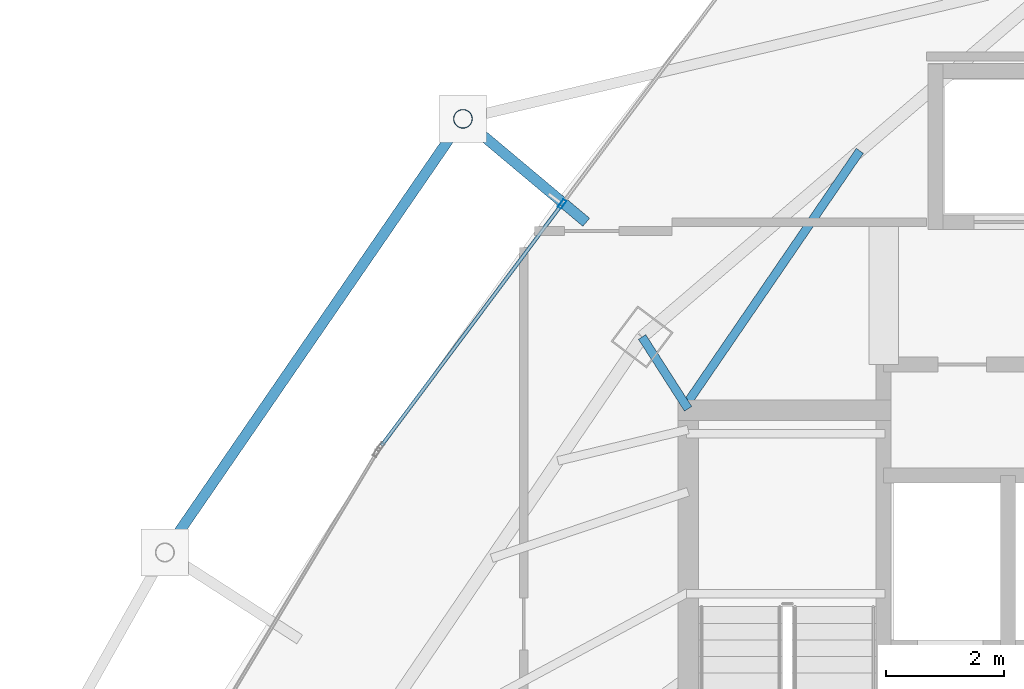
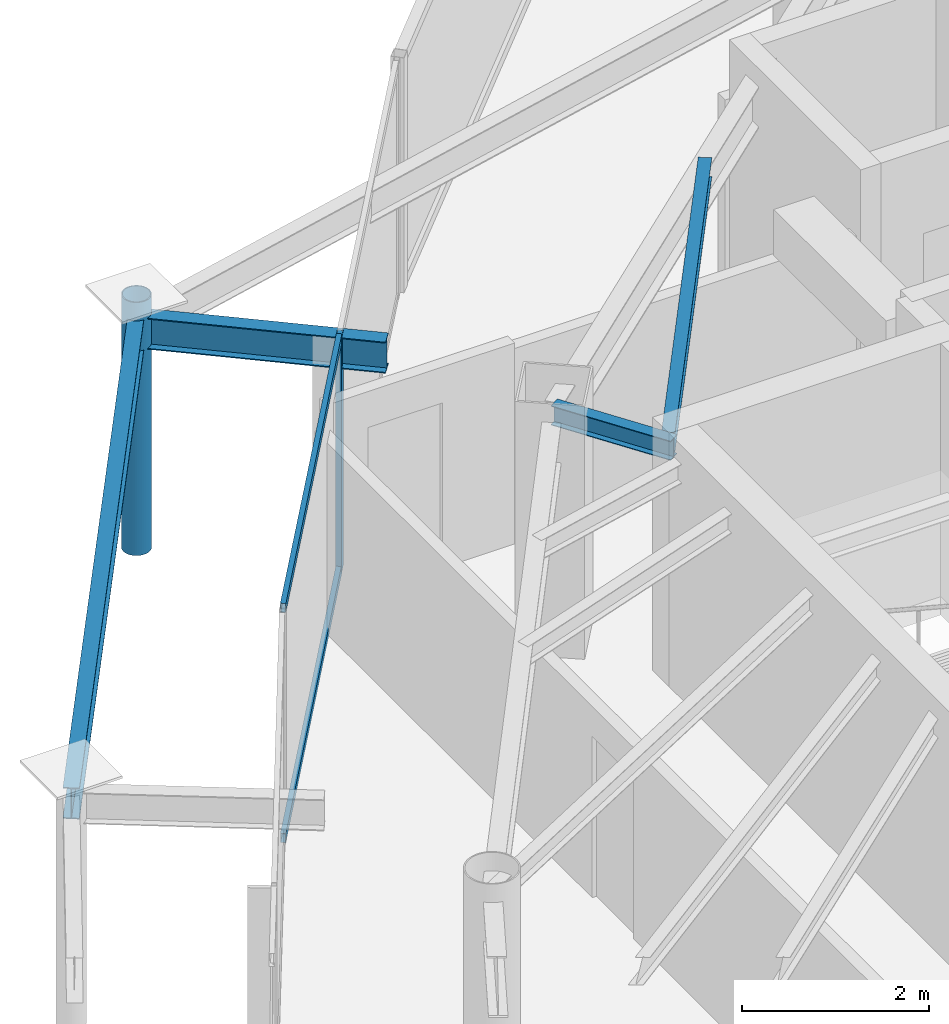
# One storey, part 23 of 34: 4 beams, 4 members, 1 element without a shape of its own.
"""IFC4 building model written with IfcOpenShell, lengths in metres."""

from ifc_helpers import new_model, si_unit, direction, frame, origin, origin_2d, place, context, subcontext, project, spatial, hollow_rectangle, hollow_circle, i_section, extrude, material, layer, layer_set, material_profile, profile_set, type_object, element, aggregate, save


model = new_model("IFC4")

# Units and contexts
model_context = context("Model", 3, precision=1e-05, world=origin(), true_north=direction((0.0, 1.0)))
body_context = subcontext(model_context, "Body", "Model", "MODEL_VIEW")
ifc_project = project(units=[si_unit("LENGTHUNIT", "METRE"), si_unit("AREAUNIT", "SQUARE_METRE"), si_unit("VOLUMEUNIT", "CUBIC_METRE"), si_unit("PLANEANGLEUNIT", "RADIAN"), si_unit("MASSUNIT", "GRAM", prefix="KILO")], contexts=[model_context])

# Site, building, storey
site_placement = place(None, origin())
site = spatial("IfcSite", under=ifc_project, at=site_placement, CompositionType="ELEMENT")
building_placement = place(site_placement, origin())
building = spatial("IfcBuilding", under=site, at=building_placement, Name="Orvanel Arch Residences", CompositionType="ELEMENT")
storey_placement = place(building_placement, frame((0.0, 0.0, 203.0)))
storey = spatial("IfcBuildingStorey", under=building, at=storey_placement, Name="L57", CompositionType="ELEMENT", Elevation=203.0)

# Beams
ifc_material_1 = material(Name="Structural steel AS/NZS 3679.1 Grade 300 (300 MPa)", Category="steel")
ifc_material_profile_1 = material_profile(ifc_material_1, i_section(OverallWidth=0.14599609375, OverallDepth=0.251953125, WebThickness=0.006103515625, FlangeThickness=0.008544921875, at=origin_2d()), Name="250UB31.4")
ifc_profile_set_1 = profile_set([ifc_material_profile_1], Name="Structural steel AS/NZS 3679.1 Grade 300 (300 MPa)")
beam_type_1 = type_object("IfcBeamType", Name="BJ-250UB", PredefinedType="JOIST", material=ifc_profile_set_1)
beam_1_placement = place(storey_placement, frame((26.425048828125, 33.89990234375, 2.93408203125), z_axis=(-0.539395075146, 0.842052820735, 0.0), x_axis=(-0.842052820735, -0.539395075146, 0.0)))
element("IfcBeam", 1, at=beam_1_placement, inside=storey, type_object=beam_type_1, Name="L57 NNW Wing Floor Joist", PredefinedType="JOIST", context=body_context, shape_type="SweptSolid", body=[
    extrude(i_section(OverallWidth=0.14599609375, OverallDepth=0.251953125, WebThickness=0.006103515625, FlangeThickness=0.008544921875, at=origin_2d()), origin(), (0.0, 0.0, 1.0), 1.440673828125),
])
beam_2_placement = place(storey_placement, frame((26.425048828125, 34.02001953125, 2.93408203125), z_axis=(0.564868085352, 0.825181220188, 0.0), x_axis=(-0.825181220188, 0.564868085352, 0.0)))
element("IfcBeam", 2, at=beam_2_placement, inside=storey, type_object=beam_type_1, Name="L57 NNW2 Wing Floor Joist", PredefinedType="JOIST", context=body_context, shape_type="SweptSolid", body=[
    extrude(i_section(OverallWidth=0.14599609375, OverallDepth=0.251953125, WebThickness=0.006103515625, FlangeThickness=0.008544921875, at=origin_2d()), origin(), (0.0, 0.0, 1.0), 5.132080078125),
])

# Curtain wall, member
ifc_material_2 = material(Name="Bronze-anodised aluminium AA6063-T6", Category="aluminium")
ifc_layer = layer(ifc_material_2, 0.175048828125)
ifc_layer_set = layer_set([ifc_layer], Name="Bronze-anodised aluminium AA6063-T6")
curtain_wall_type = type_object("IfcCurtainWallType", Name="CW4-HI-SYS", PredefinedType="NOTDEFINED", material=ifc_layer_set)
curtain_wall_placement = place(storey_placement, origin())
curtain_wall = element("IfcCurtainWall", 3, at=curtain_wall_placement, inside=storey, type_object=curtain_wall_type, Name="L57 CW4-HI-SYS Unitised Curtain Wall", PredefinedType="NOTDEFINED")
ifc_material_profile_2 = material_profile(ifc_material_2, hollow_rectangle(XDim=0.06494140625, YDim=0.159912109375, WallThickness=0.00390625, at=origin_2d()), Name="ALU160x65x4")
ifc_profile_set_2 = profile_set([ifc_material_profile_2], Name="Bronze-anodised aluminium AA6063-T6")
member_type_1 = type_object("IfcMemberType", Name="MUL-160x65", PredefinedType="MULLION", material=ifc_profile_set_2)
member_1_placement = place(storey_placement, frame((24.297607421875, 37.35693359375, 0.0), z_axis=(0.0, 0.0, 1.0), x_axis=(0.800790783216, -0.598944172287, 0.0)))
member_1 = element("IfcMember", 4, at=member_1_placement, type_object=member_type_1, Name="CW-S4 mullion 2", PredefinedType="MULLION", context=body_context, shape_type="SweptSolid", body=[
    extrude(hollow_rectangle(XDim=0.06494140625, YDim=0.159912109375, WallThickness=0.00390625, at=origin_2d()), origin(), (0.0, 0.0, 1.0), 3.06005859375),
])

# Beams
ifc_material_profile_3 = material_profile(ifc_material_1, i_section(OverallWidth=0.177978515625, OverallDepth=0.406005859375, WebThickness=0.0078125, FlangeThickness=0.0126953125, at=origin_2d()), Name="410UB59.7")
ifc_profile_set_3 = profile_set([ifc_material_profile_3], Name="Structural steel AS/NZS 3679.1 Grade 300 (300 MPa)")
beam_type_2 = type_object("IfcBeamType", Name="OB-410UB-EXT", PredefinedType="SPANDREL", material=ifc_profile_set_3)
beam_3_placement = place(storey_placement, frame((24.705078125, 37.049072265625, 2.85693359375), z_axis=(-0.76611017017, 0.642709271103, 0.0), x_axis=(-0.642709271103, -0.76611017017, 0.0)))
element("IfcBeam", 5, at=beam_3_placement, inside=storey, type_object=beam_type_2, Name="L57 Outer Frame Radial Tie Beam 01", PredefinedType="SPANDREL", context=body_context, shape_type="SweptSolid", body=[
    extrude(i_section(OverallWidth=0.177978515625, OverallDepth=0.406005859375, WebThickness=0.0078125, FlangeThickness=0.0126953125, at=origin_2d()), origin(), (0.0, 0.0, 1.0), 2.71630859375),
])
beam_4_placement = place(storey_placement, frame((22.6240234375, 38.794921875, 2.85693359375), z_axis=(-0.566423828301, -0.824114098128, 0.0), x_axis=(0.824114098128, -0.566423828301, 0.0)))
element("IfcBeam", 6, at=beam_4_placement, inside=storey, type_object=beam_type_2, Name="L57 Outer Perimeter Floor Ring Beam 01", PredefinedType="SPANDREL", context=body_context, shape_type="SweptSolid", body=[
    extrude(i_section(OverallWidth=0.177978515625, OverallDepth=0.406005859375, WebThickness=0.0078125, FlangeThickness=0.0126953125, at=origin_2d()), origin(), (0.0, 0.0, 1.0), 8.882080078125),
])

# Member
ifc_material_3 = material(Name="Structural steel AS/NZS 1163 C350L0 (Grade 350)", Category="steel")
ifc_material_profile_4 = material_profile(ifc_material_3, hollow_circle(Radius=0.162109375, WallThickness=0.0126953125, at=origin_2d()), Name="CHS324x12.7")
ifc_profile_set_4 = profile_set([ifc_material_profile_4], Name="Structural steel AS/NZS 1163 C350L0 (Grade 350)")
member_type_2 = type_object("IfcMemberType", Name="ST-324CHS-EXT", PredefinedType="STRUT", material=ifc_profile_set_4)
member_2_placement = place(storey_placement, frame((22.6240234375, 38.794921875, 0.0), z_axis=(0.0, 0.0, 1.0), x_axis=(1.0, 0.0, 0.0)))
element("IfcMember", 7, at=member_2_placement, inside=storey, type_object=member_type_2, Name="L57 Outer Perimeter Frame Post 01", PredefinedType="STRUT", context=body_context, shape_type="SweptSolid", body=[
    extrude(hollow_circle(Radius=0.162109375, WallThickness=0.0126953125, at=origin_2d()), origin(), (0.0, 0.0, 1.0), 3.300048828125),
])

ifc_material_profile_5 = material_profile(ifc_material_2, hollow_rectangle(XDim=0.06005859375, YDim=0.1201171875, WallThickness=0.00341796875, at=origin_2d()), Name="ALU120x60x3.5")
ifc_profile_set_5 = profile_set([ifc_material_profile_5], Name="Bronze-anodised aluminium AA6063-T6")
member_type_3 = type_object("IfcMemberType", Name="TRN-120x60", PredefinedType="USERDEFINED", material=ifc_profile_set_5)
member_3_placement = place(storey_placement, frame((24.278076171875, 37.3310546875, 0.030029296875), z_axis=(-0.598925863261, -0.800804476959, 0.0), x_axis=(0.800804476959, -0.598925863261, 0.0)))
member_3 = element("IfcMember", 8, at=member_3_placement, type_object=member_type_3, Name="CW-S4 transom 2.1", ObjectType="TRANSOM", PredefinedType="USERDEFINED", context=body_context, shape_type="SweptSolid", body=[
    extrude(hollow_rectangle(XDim=0.06005859375, YDim=0.1201171875, WallThickness=0.00341796875, at=origin_2d()), origin(), (0.0, 0.0, 1.0), 5.057373046875),
])

member_4_placement = place(storey_placement, frame((24.278076171875, 37.3310546875, 3.030029296875), z_axis=(-0.598925863261, -0.800804476959, 0.0), x_axis=(0.800804476959, -0.598925863261, 0.0)))
member_4 = element("IfcMember", 9, at=member_4_placement, type_object=member_type_3, Name="CW-S4 transom 2.2", ObjectType="TRANSOM", PredefinedType="USERDEFINED", context=body_context, shape_type="SweptSolid", body=[
    extrude(hollow_rectangle(XDim=0.06005859375, YDim=0.1201171875, WallThickness=0.00341796875, at=origin_2d()), origin(), (0.0, 0.0, 1.0), 5.057373046875),
])

aggregate(curtain_wall, [member_1, member_3, member_4])

save(model, "model.ifc")
